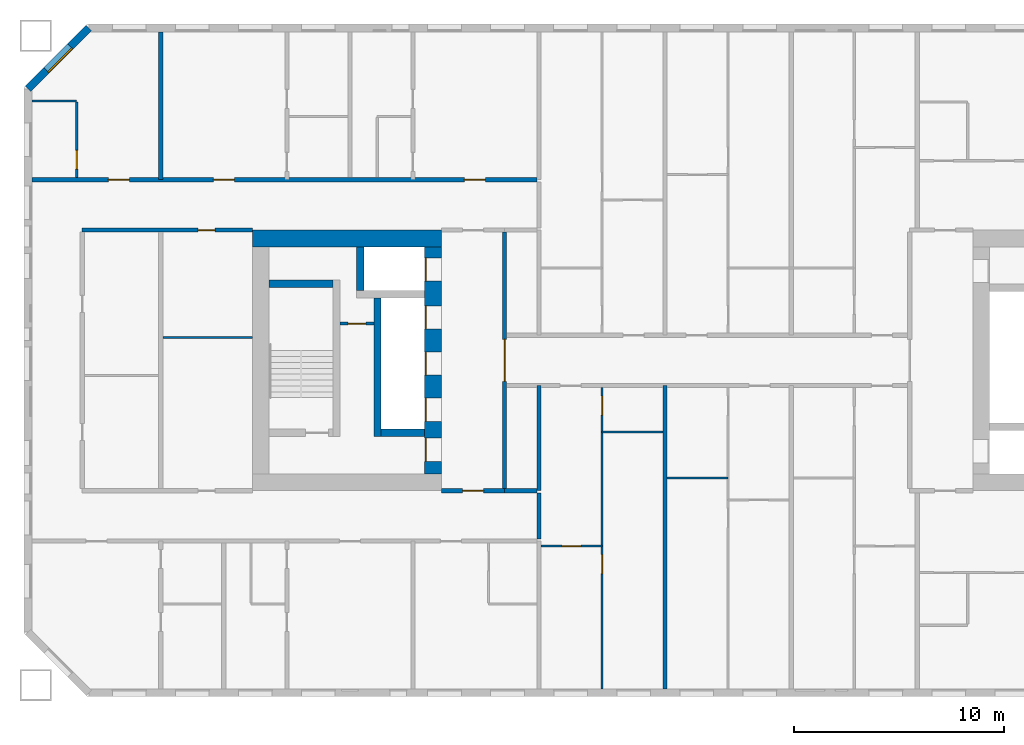
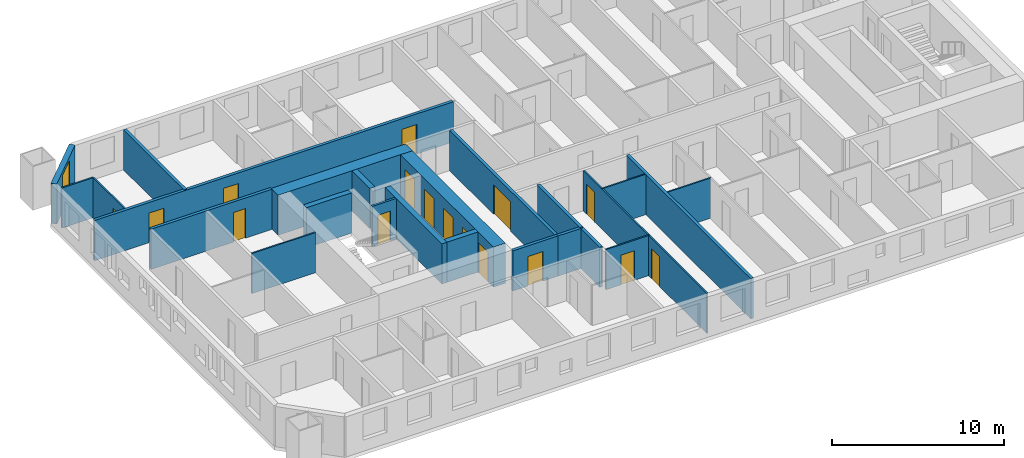
# One storey, part 4 of 17: 24 walls, 16 doors, 1 window, 17 openings.
"""IFC4 building model written with IfcOpenShell, lengths in metres."""

from ifc_helpers import new_model, si_unit, direction, frame, frame_2d, origin, place, context, subcontext, project, spatial, rectangle, extrude, material, layer, layer_set, type_object, element, fill, save


model = new_model("IFC4")

# Units and contexts
model_context = context("Model", 3, precision=1e-05, world=origin(), true_north=direction((0.0, 1.0)))
body_context = subcontext(model_context, "Body", "Model", "MODEL_VIEW")
ifc_project = project(units=[si_unit("LENGTHUNIT", "METRE"), si_unit("AREAUNIT", "SQUARE_METRE"), si_unit("VOLUMEUNIT", "CUBIC_METRE"), si_unit("PLANEANGLEUNIT", "RADIAN"), si_unit("MASSUNIT", "GRAM", prefix="KILO")], contexts=[model_context])

# Site, building, storey
site_placement = place(None, origin())
site = spatial("IfcSite", under=ifc_project, at=site_placement, CompositionType="ELEMENT")
building_placement = place(site_placement, origin())
building = spatial("IfcBuilding", under=site, at=building_placement, Name="Tuart Gate Housing", CompositionType="ELEMENT")
storey_placement = place(building_placement, frame((0.0, 0.0, 53.60009765625)))
storey = spatial("IfcBuildingStorey", under=building, at=storey_placement, Name="L14", CompositionType="ELEMENT", Elevation=53.60009765625)

# Wall, opening, window
ifc_material_1 = material(Name="Brick", Category="masonry")
ifc_layer_1 = layer(ifc_material_1, 0.360107421875)
ifc_layer_set_1 = layer_set([ifc_layer_1], Name="Brick pier and spandrel wall 360")
wall_type_1 = type_object("IfcWallType", Name="Brick pier and spandrel wall 360", PredefinedType="STANDARD", material=ifc_layer_set_1)
wall_1_placement = place(storey_placement, frame((24.57470703125, 85.820068359375, 0.0), z_axis=(0.0, 0.0, 1.0), x_axis=(-0.707106781187, -0.707106781187, 0.0)))
wall_1 = element("IfcWall", 1, at=wall_1_placement, inside=storey, type_object=wall_type_1, Name="External wall A-NW L14", PredefinedType="STANDARD", context=body_context, shape_type="SweptSolid", body=[
    extrude(rectangle(XDim=4.09375, YDim=0.360107421875, at=frame_2d((2.046875, 0.0))), origin(), (0.0, 0.0, 1.0), 2.849853515625),
])
opening_1_placement = place(wall_1_placement, frame((1.2470703125, 0.0, 0.800048828125)))
opening_1 = element("IfcOpeningElement", 2, at=opening_1_placement, cuts=wall_1, Name="Opening W1", PredefinedType="OPENING", context=body_context, shape_type="SweptSolid", body=[
    extrude(rectangle(XDim=1.60009765625, YDim=1.800048828125, at=frame_2d((0.800048828125, 0.89990234375))), frame((0.0, 0.18994140625, 0.0), z_axis=(0.0, -1.0, 0.0), x_axis=(1.0, 0.0, 0.0)), (0.0, 0.0, 1.0), 0.380126953125),
])
ifc_material_2 = material(Name="Aluminium frame with clear glass", Category="aluminium")
window_type = type_object("IfcWindowType", Name="Punched window 1600 x 1800", PartitioningType="SINGLE_PANEL", PredefinedType="WINDOW", material=ifc_material_2)
window_placement = place(opening_1_placement, origin())
window = element("IfcWindow", 3, at=window_placement, inside=storey, type_object=window_type, Name="Window W1", OverallHeight=1.800048828125, OverallWidth=1.60009765625, PartitioningType="SINGLE_PANEL", PredefinedType="WINDOW", context=body_context, shape_type="SweptSolid", body=[
    extrude(rectangle(XDim=1.60009765625, YDim=1.800048828125, at=frame_2d((0.800048828125, 0.89990234375))), frame((0.0, 0.150146484375, 0.0), z_axis=(0.0, -1.0, 0.0), x_axis=(1.0, 0.0, 0.0)), (0.0, 0.0, 1.0), 0.06005859375),
])
fill(opening_1, window)

# Wall, opening, door
ifc_material_3 = material(Name="Plasterboard partition")
ifc_layer_2 = layer(ifc_material_3, 0.14990234375)
ifc_layer_set_2 = layer_set([ifc_layer_2], Name="Core partition 150")
wall_type_2 = type_object("IfcWallType", Name="Core partition 150", PredefinedType="PARTITIONING", material=ifc_layer_set_2)
wall_2_placement = place(storey_placement, frame((38.135009765625, 71.75, 0.0), z_axis=(0.0, 0.0, 1.0), x_axis=(-1.0, 0.0, 0.0)))
wall_2 = element("IfcWall", 4, at=wall_2_placement, inside=storey, type_object=wall_type_2, Name="Core partition AK.3", PredefinedType="PARTITIONING", context=body_context, shape_type="SweptSolid", body=[
    extrude(rectangle(XDim=1.60009765625, YDim=0.14990234375, at=frame_2d((0.800048828125, 0.0))), origin(), (0.0, 0.0, 1.0), 2.849853515625),
])
opening_2_placement = place(wall_2_placement, frame((0.375, 0.0, 0.0)))
opening_2 = element("IfcOpeningElement", 5, at=opening_2_placement, cuts=wall_2, Name="Opening D738", PredefinedType="OPENING", context=body_context, shape_type="SweptSolid", body=[
    extrude(rectangle(XDim=0.85009765625, YDim=2.10009765625, at=frame_2d((0.425048828125, 1.050048828125))), frame((0.0, 0.0849609375, 0.0), z_axis=(0.0, -1.0, 0.0), x_axis=(1.0, 0.0, 0.0)), (0.0, 0.0, 1.0), 0.169921875),
])
ifc_material_4 = material(Name="Steel fire door", Category="steel")
door_type_1 = type_object("IfcDoorType", Name="Riser door 850 x 2100 RH", OperationType="SINGLE_SWING_RIGHT", PredefinedType="DOOR", material=ifc_material_4)
door_1_placement = place(opening_2_placement, frame((0.85009765625, 0.0, 0.0), z_axis=(0.0, 0.0, 1.0), x_axis=(-1.0, 0.0, 0.0)))
door_1 = element("IfcDoor", 6, at=door_1_placement, inside=storey, type_object=door_type_1, Name="Service room door AK.E1", OperationType="SINGLE_SWING_RIGHT", OverallHeight=2.10009765625, OverallWidth=0.85009765625, PredefinedType="DOOR", context=body_context, shape_type="SweptSolid", body=[
    extrude(rectangle(XDim=0.85009765625, YDim=2.10009765625, at=frame_2d((0.425048828125, 1.050048828125))), frame((0.0, 0.025146484375, 0.0), z_axis=(0.0, -1.0, 0.0), x_axis=(1.0, 0.0, 0.0)), (0.0, 0.0, 1.0), 0.050048828125),
])
fill(opening_2, door_1)

# Walls
ifc_material_5 = material(Name="Concrete C60", Category="concrete")
ifc_layer_3 = layer(ifc_material_5, 0.35009765625)
ifc_layer_set_3 = layer_set([ifc_layer_3], Name="Core wall 350 C60")
wall_type_3 = type_object("IfcWallType", Name="Core wall 350 C60", PredefinedType="SHEAR", material=ifc_layer_set_3)
wall_3_placement = place(storey_placement, frame((36.18505859375, 73.64990234375, 0.0), z_axis=(0.0, 0.0, 1.0), x_axis=(-1.0, 0.0, 0.0)))
element("IfcWall", 7, at=wall_3_placement, inside=storey, type_object=wall_type_3, Name="Core wall AK.1", PredefinedType="SHEAR", context=body_context, shape_type="SweptSolid", body=[
    extrude(rectangle(XDim=3.025146484375, YDim=0.35009765625, at=frame_2d((1.5126953125, 0.0))), origin(), (0.0, 0.0, 1.0), 2.849853515625),
])
wall_4_placement = place(storey_placement, frame((40.56005859375, 66.550048828125, 0.0), z_axis=(0.0, 0.0, 1.0), x_axis=(-1.0, 0.0, 0.0)))
element("IfcWall", 8, at=wall_4_placement, inside=storey, type_object=wall_type_3, Name="Core wall AK.4", PredefinedType="SHEAR", context=body_context, shape_type="SweptSolid", body=[
    extrude(rectangle(XDim=2.074951171875, YDim=0.35009765625, at=frame_2d((1.03759765625, 0.0))), origin(), (0.0, 0.0, 1.0), 2.849853515625),
])
wall_5_placement = place(storey_placement, frame((38.31005859375, 72.97509765625, 0.0), z_axis=(0.0, 0.0, 1.0), x_axis=(0.0, -1.0, 0.0)))
element("IfcWall", 9, at=wall_5_placement, inside=storey, type_object=wall_type_3, Name="Core wall AK.6", PredefinedType="SHEAR", context=body_context, shape_type="SweptSolid", body=[
    extrude(rectangle(XDim=6.60009765625, YDim=0.35009765625, at=frame_2d((3.300048828125, 0.0))), origin(), (0.0, 0.0, 1.0), 2.849853515625),
])
wall_6_placement = place(storey_placement, frame((37.489990234375, 75.39990234375, 0.0), z_axis=(0.0, 0.0, 1.0), x_axis=(0.0, -1.0, 0.0)))
element("IfcWall", 10, at=wall_6_placement, inside=storey, type_object=wall_type_3, Name="Core wall AK.7", PredefinedType="SHEAR", context=body_context, shape_type="SweptSolid", body=[
    extrude(rectangle(XDim=2.074951171875, YDim=0.35009765625, at=frame_2d((1.03759765625, 0.0))), origin(), (0.0, 0.0, 1.0), 2.849853515625),
])

# Wall, openings, doors
ifc_material_6 = material(Name="Concrete C60", Category="concrete")
ifc_layer_4 = layer(ifc_material_6, 0.800048828125)
ifc_layer_set_4 = layer_set([ifc_layer_4], Name="Core wall 800 C60")
wall_type_4 = type_object("IfcWallType", Name="Core wall 800 C60", PredefinedType="SHEAR", material=ifc_layer_set_4)
wall_7_placement = place(storey_placement, frame((40.9599609375, 75.39990234375, 0.0), z_axis=(0.0, 0.0, 1.0), x_axis=(0.0, -1.0, 0.0)))
wall_7 = element("IfcWall", 11, at=wall_7_placement, inside=storey, type_object=wall_type_4, Name="Core wall AK front", PredefinedType="SHEAR", context=body_context, shape_type="SweptSolid", body=[
    extrude(rectangle(XDim=10.7998046875, YDim=0.800048828125, at=frame_2d((5.39990234375, 0.0))), origin(), (0.0, 0.0, 1.0), 2.849853515625),
])
opening_3_placement = place(wall_7_placement, frame((0.52490234375, 0.0, 0.0)))
opening_3 = element("IfcOpeningElement", 12, at=opening_3_placement, cuts=wall_7, Name="Opening LD-FA2", PredefinedType="OPENING", context=body_context, shape_type="SweptSolid", body=[
    extrude(rectangle(XDim=1.10009765625, YDim=2.10009765625, at=frame_2d((0.550048828125, 1.050048828125))), frame((0.0, 0.409912109375, 0.0), z_axis=(0.0, -1.0, 0.0), x_axis=(1.0, 0.0, 0.0)), (0.0, 0.0, 1.0), 0.820068359375),
])
opening_4_placement = place(wall_7_placement, frame((2.800048828125, 0.0, 0.0)))
opening_4 = element("IfcOpeningElement", 13, at=opening_4_placement, cuts=wall_7, Name="Opening LD-LA4", PredefinedType="OPENING", context=body_context, shape_type="SweptSolid", body=[
    extrude(rectangle(XDim=1.10009765625, YDim=2.10009765625, at=frame_2d((0.550048828125, 1.050048828125))), frame((0.0, 0.409912109375, 0.0), z_axis=(0.0, -1.0, 0.0), x_axis=(1.0, 0.0, 0.0)), (0.0, 0.0, 1.0), 0.820068359375),
])
opening_5_placement = place(wall_7_placement, frame((5.0, 0.0, 0.0)))
opening_5 = element("IfcOpeningElement", 14, at=opening_5_placement, cuts=wall_7, Name="Opening LD-LA5", PredefinedType="OPENING", context=body_context, shape_type="SweptSolid", body=[
    extrude(rectangle(XDim=1.10009765625, YDim=2.10009765625, at=frame_2d((0.550048828125, 1.050048828125))), frame((0.0, 0.409912109375, 0.0), z_axis=(0.0, -1.0, 0.0), x_axis=(1.0, 0.0, 0.0)), (0.0, 0.0, 1.0), 0.820068359375),
])
opening_6_placement = place(wall_7_placement, frame((7.199951171875, 0.0, 0.0)))
opening_6 = element("IfcOpeningElement", 15, at=opening_6_placement, cuts=wall_7, Name="Opening LD-LA6", PredefinedType="OPENING", context=body_context, shape_type="SweptSolid", body=[
    extrude(rectangle(XDim=1.10009765625, YDim=2.10009765625, at=frame_2d((0.550048828125, 1.050048828125))), frame((0.0, 0.409912109375, 0.0), z_axis=(0.0, -1.0, 0.0), x_axis=(1.0, 0.0, 0.0)), (0.0, 0.0, 1.0), 0.820068359375),
])
opening_7_placement = place(wall_7_placement, frame((9.10009765625, 0.0, 0.0)))
opening_7 = element("IfcOpeningElement", 16, at=opening_7_placement, cuts=wall_7, Name="Opening D744", PredefinedType="OPENING", context=body_context, shape_type="SweptSolid", body=[
    extrude(rectangle(XDim=1.10009765625, YDim=2.10009765625, at=frame_2d((0.550048828125, 1.050048828125))), frame((0.0, 0.409912109375, 0.0), z_axis=(0.0, -1.0, 0.0), x_axis=(1.0, 0.0, 0.0)), (0.0, 0.0, 1.0), 0.820068359375),
])
ifc_material_7 = material(Name="Stainless steel", Category="steel")
door_type_2 = type_object("IfcDoorType", Name="Landing door 1100 x 2100", OperationType="DOUBLE_DOOR_SLIDING", PredefinedType="DOOR", material=ifc_material_7)
door_2_placement = place(opening_3_placement, origin())
door_2 = element("IfcDoor", 17, at=door_2_placement, inside=storey, type_object=door_type_2, Name="Lift landing door FA2", OperationType="DOUBLE_DOOR_SLIDING", OverallHeight=2.10009765625, OverallWidth=1.10009765625, PredefinedType="DOOR", context=body_context, shape_type="SweptSolid", body=[
    extrude(rectangle(XDim=1.10009765625, YDim=2.10009765625, at=frame_2d((0.550048828125, 1.050048828125))), frame((0.0, -0.3349609375, 0.0), z_axis=(0.0, -1.0, 0.0), x_axis=(1.0, 0.0, 0.0)), (0.0, 0.0, 1.0), 0.050048828125),
])
fill(opening_3, door_2)
door_3_placement = place(opening_4_placement, origin())
door_3 = element("IfcDoor", 18, at=door_3_placement, inside=storey, type_object=door_type_2, Name="Lift landing door LA4", OperationType="DOUBLE_DOOR_SLIDING", OverallHeight=2.10009765625, OverallWidth=1.10009765625, PredefinedType="DOOR", context=body_context, shape_type="SweptSolid", body=[
    extrude(rectangle(XDim=1.10009765625, YDim=2.10009765625, at=frame_2d((0.550048828125, 1.050048828125))), frame((0.0, -0.3349609375, 0.0), z_axis=(0.0, -1.0, 0.0), x_axis=(1.0, 0.0, 0.0)), (0.0, 0.0, 1.0), 0.050048828125),
])
fill(opening_4, door_3)
door_4_placement = place(opening_5_placement, origin())
door_4 = element("IfcDoor", 19, at=door_4_placement, inside=storey, type_object=door_type_2, Name="Lift landing door LA5", OperationType="DOUBLE_DOOR_SLIDING", OverallHeight=2.10009765625, OverallWidth=1.10009765625, PredefinedType="DOOR", context=body_context, shape_type="SweptSolid", body=[
    extrude(rectangle(XDim=1.10009765625, YDim=2.10009765625, at=frame_2d((0.550048828125, 1.050048828125))), frame((0.0, -0.3349609375, 0.0), z_axis=(0.0, -1.0, 0.0), x_axis=(1.0, 0.0, 0.0)), (0.0, 0.0, 1.0), 0.050048828125),
])
fill(opening_5, door_4)
door_5_placement = place(opening_6_placement, origin())
door_5 = element("IfcDoor", 20, at=door_5_placement, inside=storey, type_object=door_type_2, Name="Lift landing door LA6", OperationType="DOUBLE_DOOR_SLIDING", OverallHeight=2.10009765625, OverallWidth=1.10009765625, PredefinedType="DOOR", context=body_context, shape_type="SweptSolid", body=[
    extrude(rectangle(XDim=1.10009765625, YDim=2.10009765625, at=frame_2d((0.550048828125, 1.050048828125))), frame((0.0, -0.3349609375, 0.0), z_axis=(0.0, -1.0, 0.0), x_axis=(1.0, 0.0, 0.0)), (0.0, 0.0, 1.0), 0.050048828125),
])
fill(opening_6, door_5)
ifc_material_8 = material(Name="Steel fire door", Category="steel")
door_type_3 = type_object("IfcDoorType", Name="Lobby door 1100 x 2100 RH", OperationType="SINGLE_SWING_RIGHT", PredefinedType="DOOR", material=ifc_material_8)
door_6_placement = place(opening_7_placement, frame((1.10009765625, 0.0, 0.0), z_axis=(0.0, 0.0, 1.0), x_axis=(-1.0, 0.0, 0.0)))
door_6 = element("IfcDoor", 21, at=door_6_placement, inside=storey, type_object=door_type_3, Name="Lobby entry door AK.EN", OperationType="SINGLE_SWING_RIGHT", OverallHeight=2.10009765625, OverallWidth=1.10009765625, PredefinedType="DOOR", context=body_context, shape_type="SweptSolid", body=[
    extrude(rectangle(XDim=1.10009765625, YDim=2.10009765625, at=frame_2d((0.550048828125, 1.050048828125))), frame((0.0, 0.385009765625, 0.0), z_axis=(0.0, -1.0, 0.0), x_axis=(1.0, 0.0, 0.0)), (0.0, 0.0, 1.0), 0.050048828125),
])
fill(opening_7, door_6)

# Walls
wall_8_placement = place(storey_placement, frame((41.360107421875, 75.800048828125, 0.0), z_axis=(0.0, 0.0, 1.0), x_axis=(-1.0, 0.0, 0.0)))
element("IfcWall", 22, at=wall_8_placement, inside=storey, type_object=wall_type_4, Name="Core wall AK south", PredefinedType="SHEAR", context=body_context, shape_type="SweptSolid", body=[
    extrude(rectangle(XDim=9.0, YDim=0.800048828125, at=frame_2d((4.5, 0.0))), origin(), (0.0, 0.0, 1.0), 2.849853515625),
])
ifc_material_9 = material(Name="Concrete masonry 15 MPa", Category="masonry")
ifc_layer_5 = layer(ifc_material_9, 0.199951171875)
ifc_layer_set_5 = layer_set([ifc_layer_5], Name="Corridor wall masonry 200")
wall_type_5 = type_object("IfcWallType", Name="Corridor wall masonry 200", PredefinedType="PARTITIONING", material=ifc_layer_set_5)
wall_9_placement = place(storey_placement, frame((44.360107421875, 63.800048828125, 0.0), z_axis=(0.0, 0.0, 1.0), x_axis=(1.0, 0.0, 0.0)))
element("IfcWall", 23, at=wall_9_placement, inside=storey, type_object=wall_type_5, Name="Corridor wall masonry 200", PredefinedType="PARTITIONING", context=body_context, shape_type="SweptSolid", body=[
    extrude(rectangle(XDim=1.539794921875, YDim=0.199951171875, at=frame_2d((0.77001953125, 0.0))), origin(), (0.0, 0.0, 1.0), 2.849853515625),
])

# Wall, opening, door
wall_10_placement = place(storey_placement, frame((24.260009765625, 76.199951171875, 0.0), z_axis=(0.0, 0.0, 1.0), x_axis=(1.0, 0.0, 0.0)))
wall_10 = element("IfcWall", 24, at=wall_10_placement, inside=storey, type_object=wall_type_5, Name="Corridor wall masonry 200", PredefinedType="PARTITIONING", context=body_context, shape_type="SweptSolid", body=[
    extrude(rectangle(XDim=8.10009765625, YDim=0.199951171875, at=frame_2d((4.050048828125, 0.0))), origin(), (0.0, 0.0, 1.0), 2.849853515625),
])
opening_8_placement = place(wall_10_placement, frame((5.52001953125, 0.0, 0.0)))
opening_8 = element("IfcOpeningElement", 25, at=opening_8_placement, cuts=wall_10, Name="Opening D734", PredefinedType="OPENING", context=body_context, shape_type="SweptSolid", body=[
    extrude(rectangle(XDim=0.800048828125, YDim=2.10009765625, at=frame_2d((0.39990234375, 1.050048828125))), frame((0.0, 0.10986328125, 0.0), z_axis=(0.0, -1.0, 0.0), x_axis=(1.0, 0.0, 0.0)), (0.0, 0.0, 1.0), 0.219970703125),
])
ifc_material_10 = material(Name="Timber door leaf in steel frame", Category="steel")
door_type_4 = type_object("IfcDoorType", Name="Store door 800 RH", OperationType="SINGLE_SWING_RIGHT", PredefinedType="DOOR", material=ifc_material_10)
door_7_placement = place(opening_8_placement, frame((0.800048828125, 0.0, 0.0), z_axis=(0.0, 0.0, 1.0), x_axis=(-1.0, 0.0, 0.0)))
door_7 = element("IfcDoor", 26, at=door_7_placement, inside=storey, type_object=door_type_4, Name="Store door", OperationType="SINGLE_SWING_RIGHT", OverallHeight=2.10009765625, OverallWidth=0.800048828125, PredefinedType="DOOR", context=body_context, shape_type="SweptSolid", body=[
    extrude(rectangle(XDim=0.800048828125, YDim=2.10009765625, at=frame_2d((0.400146484375, 1.050048828125))), frame((0.0, 0.025146484375, 0.0), z_axis=(0.0, -1.0, 0.0), x_axis=(1.0, 0.0, 0.0)), (0.0, 0.0, 1.0), 0.050048828125),
])
fill(opening_8, door_7)

# Wall, openings, doors
wall_11_placement = place(storey_placement, frame((21.860107421875, 78.60009765625, 0.0), z_axis=(0.0, 0.0, 1.0), x_axis=(1.0, 0.0, 0.0)))
wall_11 = element("IfcWall", 27, at=wall_11_placement, inside=storey, type_object=wall_type_5, Name="Corridor wall masonry 200", PredefinedType="PARTITIONING", context=body_context, shape_type="SweptSolid", body=[
    extrude(rectangle(XDim=24.039794921875, YDim=0.199951171875, at=frame_2d((12.02001953125, 0.0))), origin(), (0.0, 0.0, 1.0), 2.849853515625),
])
opening_9_placement = place(wall_11_placement, frame((20.590087890625, 0.0, 0.0)))
opening_9 = element("IfcOpeningElement", 28, at=opening_9_placement, cuts=wall_11, Name="Opening D724", PredefinedType="OPENING", context=body_context, shape_type="SweptSolid", body=[
    extrude(rectangle(XDim=1.0, YDim=2.10009765625, at=frame_2d((0.5, 1.050048828125))), frame((0.0, 0.10986328125, 0.0), z_axis=(0.0, -1.0, 0.0), x_axis=(1.0, 0.0, 0.0)), (0.0, 0.0, 1.0), 0.219970703125),
])
opening_10_placement = place(wall_11_placement, frame((8.639892578125, 0.0, 0.0)))
opening_10 = element("IfcOpeningElement", 29, at=opening_10_placement, cuts=wall_11, Name="Opening D725", PredefinedType="OPENING", context=body_context, shape_type="SweptSolid", body=[
    extrude(rectangle(XDim=1.0, YDim=2.10009765625, at=frame_2d((0.5, 1.050048828125))), frame((0.0, 0.10986328125, 0.0), z_axis=(0.0, -1.0, 0.0), x_axis=(1.0, 0.0, 0.0)), (0.0, 0.0, 1.0), 0.219970703125),
])
opening_11_placement = place(wall_11_placement, frame((3.639892578125, 0.0, 0.0)))
opening_11 = element("IfcOpeningElement", 30, at=opening_11_placement, cuts=wall_11, Name="Opening D726", PredefinedType="OPENING", context=body_context, shape_type="SweptSolid", body=[
    extrude(rectangle(XDim=1.0, YDim=2.10009765625, at=frame_2d((0.5, 1.050048828125))), frame((0.0, 0.10986328125, 0.0), z_axis=(0.0, -1.0, 0.0), x_axis=(1.0, 0.0, 0.0)), (0.0, 0.0, 1.0), 0.219970703125),
])
ifc_material_11 = material(Name="Timber door leaf in steel frame", Category="steel")
door_type_5 = type_object("IfcDoorType", Name="Flat entrance door 1000", OperationType="SINGLE_SWING_LEFT", PredefinedType="DOOR", material=ifc_material_11)
door_8_placement = place(opening_9_placement, origin())
door_8 = element("IfcDoor", 31, at=door_8_placement, inside=storey, type_object=door_type_5, Name="Flat entrance door", OperationType="SINGLE_SWING_LEFT", OverallHeight=2.10009765625, OverallWidth=1.0, PredefinedType="DOOR", context=body_context, shape_type="SweptSolid", body=[
    extrude(rectangle(XDim=1.0, YDim=2.10009765625, at=frame_2d((0.5, 1.050048828125))), frame((0.0, 0.02490234375, 0.0), z_axis=(0.0, -1.0, 0.0), x_axis=(1.0, 0.0, 0.0)), (0.0, 0.0, 1.0), 0.050048828125),
])
fill(opening_9, door_8)
door_9_placement = place(opening_10_placement, origin())
door_9 = element("IfcDoor", 32, at=door_9_placement, inside=storey, type_object=door_type_5, Name="Flat entrance door", OperationType="SINGLE_SWING_LEFT", OverallHeight=2.10009765625, OverallWidth=1.0, PredefinedType="DOOR", context=body_context, shape_type="SweptSolid", body=[
    extrude(rectangle(XDim=1.0, YDim=2.10009765625, at=frame_2d((0.5, 1.050048828125))), frame((0.0, 0.02490234375, 0.0), z_axis=(0.0, -1.0, 0.0), x_axis=(1.0, 0.0, 0.0)), (0.0, 0.0, 1.0), 0.050048828125),
])
fill(opening_10, door_9)
door_10_placement = place(opening_11_placement, origin())
door_10 = element("IfcDoor", 33, at=door_10_placement, inside=storey, type_object=door_type_5, Name="Flat entrance door", OperationType="SINGLE_SWING_LEFT", OverallHeight=2.10009765625, OverallWidth=1.0, PredefinedType="DOOR", context=body_context, shape_type="SweptSolid", body=[
    extrude(rectangle(XDim=1.0, YDim=2.10009765625, at=frame_2d((0.5, 1.050048828125))), frame((0.0, 0.02490234375, 0.0), z_axis=(0.0, -1.0, 0.0), x_axis=(1.0, 0.0, 0.0)), (0.0, 0.0, 1.0), 0.050048828125),
])
fill(opening_11, door_10)

# Wall
wall_12_placement = place(storey_placement, frame((46.0, 61.5, 0.0), z_axis=(0.0, 0.0, 1.0), x_axis=(0.0, 1.0, 0.0)))
element("IfcWall", 34, at=wall_12_placement, inside=storey, type_object=wall_type_5, Name="Corridor wall masonry 200", PredefinedType="PARTITIONING", context=body_context, shape_type="SweptSolid", body=[
    extrude(rectangle(XDim=2.199951171875, YDim=0.199951171875, at=frame_2d((1.10009765625, 0.0))), origin(), (0.0, 0.0, 1.0), 2.849853515625),
])

# Wall, opening, door
ifc_material_12 = material(Name="Concrete masonry 15 MPa", Category="masonry")
ifc_layer_6 = layer(ifc_material_12, 0.199951171875)
ifc_layer_set_6 = layer_set([ifc_layer_6], Name="Enclosure wall masonry 200")
wall_type_6 = type_object("IfcWallType", Name="Enclosure wall masonry 200", PredefinedType="PARTITIONING", material=ifc_layer_set_6)
wall_13_placement = place(storey_placement, frame((41.360107421875, 63.800048828125, 0.0), z_axis=(0.0, 0.0, 1.0), x_axis=(1.0, 0.0, 0.0)))
wall_13 = element("IfcWall", 35, at=wall_13_placement, inside=storey, type_object=wall_type_6, Name="Enclosure wall masonry 200", PredefinedType="PARTITIONING", context=body_context, shape_type="SweptSolid", body=[
    extrude(rectangle(XDim=3.0, YDim=0.199951171875, at=frame_2d((1.5, 0.0))), origin(), (0.0, 0.0, 1.0), 2.849853515625),
])
opening_12_placement = place(wall_13_placement, frame((1.0, 0.0, 0.0)))
opening_12 = element("IfcOpeningElement", 36, at=opening_12_placement, cuts=wall_13, Name="Opening D755", PredefinedType="OPENING", context=body_context, shape_type="SweptSolid", body=[
    extrude(rectangle(XDim=1.0, YDim=2.10009765625, at=frame_2d((0.5, 1.050048828125))), frame((0.0, 0.10986328125, 0.0), z_axis=(0.0, -1.0, 0.0), x_axis=(1.0, 0.0, 0.0)), (0.0, 0.0, 1.0), 0.219970703125),
])
ifc_material_13 = material(Name="Timber door leaf in steel frame", Category="steel")
door_type_6 = type_object("IfcDoorType", Name="Fire door 1000", OperationType="SINGLE_SWING_LEFT", PredefinedType="DOOR", material=ifc_material_13)
door_11_placement = place(opening_12_placement, frame((1.0, 0.0, 0.0), z_axis=(0.0, 0.0, 1.0), x_axis=(-1.0, 0.0, 0.0)))
door_11 = element("IfcDoor", 37, at=door_11_placement, inside=storey, type_object=door_type_6, Name="Fire door", OperationType="SINGLE_SWING_LEFT", OverallHeight=2.10009765625, OverallWidth=1.0, PredefinedType="DOOR", context=body_context, shape_type="SweptSolid", body=[
    extrude(rectangle(XDim=1.0, YDim=2.10009765625, at=frame_2d((0.5, 1.050048828125))), frame((0.0, 0.025146484375, 0.0), z_axis=(0.0, -1.0, 0.0), x_axis=(1.0, 0.0, 0.0)), (0.0, 0.0, 1.0), 0.050048828125),
])
fill(opening_12, door_11)

ifc_material_14 = material(Name="Plasterboard partition")
ifc_layer_7 = layer(ifc_material_14, 0.199951171875)
ifc_layer_set_7 = layer_set([ifc_layer_7], Name="Lobby wall 200")
wall_type_7 = type_object("IfcWallType", Name="Lobby wall 200", PredefinedType="PARTITIONING", material=ifc_layer_set_7)
wall_14_placement = place(storey_placement, frame((44.360107421875, 63.89990234375, 0.0), z_axis=(0.0, 0.0, 1.0), x_axis=(0.0, 1.0, 0.0)))
wall_14 = element("IfcWall", 38, at=wall_14_placement, inside=storey, type_object=wall_type_7, Name="Lift lobby wall AK", PredefinedType="PARTITIONING", context=body_context, shape_type="SweptSolid", body=[
    extrude(rectangle(XDim=12.2001953125, YDim=0.199951171875, at=frame_2d((6.10009765625, 0.0))), origin(), (0.0, 0.0, 1.0), 2.849853515625),
])
opening_13_placement = place(wall_14_placement, frame((5.10009765625, 0.0, 0.0)))
opening_13 = element("IfcOpeningElement", 39, at=opening_13_placement, cuts=wall_14, Name="Opening D745", PredefinedType="OPENING", context=body_context, shape_type="SweptSolid", body=[
    extrude(rectangle(XDim=2.0, YDim=2.10009765625, at=frame_2d((1.0, 1.050048828125))), frame((0.0, 0.10986328125, 0.0), z_axis=(0.0, -1.0, 0.0), x_axis=(1.0, 0.0, 0.0)), (0.0, 0.0, 1.0), 0.219970703125),
])
ifc_material_15 = material(Name="Steel fire door", Category="steel")
door_type_7 = type_object("IfcDoorType", Name="Smoke door 2000 x 2100", OperationType="DOUBLE_DOOR_SINGLE_SWING", PredefinedType="DOOR", material=ifc_material_15)
door_12_placement = place(opening_13_placement, origin())
door_12 = element("IfcDoor", 40, at=door_12_placement, inside=storey, type_object=door_type_7, Name="Lift lobby smoke door AK", OperationType="DOUBLE_DOOR_SINGLE_SWING", OverallHeight=2.10009765625, OverallWidth=2.0, PredefinedType="DOOR", context=body_context, shape_type="SweptSolid", body=[
    extrude(rectangle(XDim=2.0, YDim=2.10009765625, at=frame_2d((1.0, 1.050048828125))), frame((0.0, 0.02490234375, 0.0), z_axis=(0.0, -1.0, 0.0), x_axis=(1.0, 0.0, 0.0)), (0.0, 0.0, 1.0), 0.050048828125),
])
fill(opening_13, door_12)

ifc_material_16 = material(Name="Gypsum board on steel studs", Category="steel")
ifc_layer_8 = layer(ifc_material_16, 0.10009765625)
ifc_layer_set_8 = layer_set([ifc_layer_8], Name="Partition 100")
wall_type_8 = type_object("IfcWallType", Name="Partition 100", PredefinedType="PARTITIONING", material=ifc_layer_set_8)
wall_15_placement = place(storey_placement, frame((46.10009765625, 61.159912109375, 0.0), z_axis=(0.0, 0.0, 1.0), x_axis=(1.0, 0.0, 0.0)))
wall_15 = element("IfcWall", 41, at=wall_15_placement, inside=storey, type_object=wall_type_8, Name="Partition 100", PredefinedType="PARTITIONING", context=body_context, shape_type="SweptSolid", body=[
    extrude(rectangle(XDim=2.89990234375, YDim=0.10009765625, at=frame_2d((1.449951171875, 0.0))), origin(), (0.0, 0.0, 1.0), 2.849853515625),
])
opening_14_placement = place(wall_15_placement, frame((1.0, 0.0, 0.0)))
opening_14 = element("IfcOpeningElement", 42, at=opening_14_placement, cuts=wall_15, Name="Opening D767", PredefinedType="OPENING", context=body_context, shape_type="SweptSolid", body=[
    extrude(rectangle(XDim=0.89990234375, YDim=2.10009765625, at=frame_2d((0.449951171875, 1.050048828125))), frame((0.0, 0.06005859375, 0.0), z_axis=(0.0, -1.0, 0.0), x_axis=(1.0, 0.0, 0.0)), (0.0, 0.0, 1.0), 0.1201171875),
])
ifc_material_17 = material(Name="Timber door leaf in steel frame", Category="steel")
door_type_8 = type_object("IfcDoorType", Name="Internal door 900 RH", OperationType="SINGLE_SWING_RIGHT", PredefinedType="DOOR", material=ifc_material_17)
door_13_placement = place(opening_14_placement, origin())
door_13 = element("IfcDoor", 43, at=door_13_placement, inside=storey, type_object=door_type_8, Name="Internal door", OperationType="SINGLE_SWING_RIGHT", OverallHeight=2.10009765625, OverallWidth=0.89990234375, PredefinedType="DOOR", context=body_context, shape_type="SweptSolid", body=[
    extrude(rectangle(XDim=0.89990234375, YDim=2.10009765625, at=frame_2d((0.449951171875, 1.050048828125))), frame((0.0, 0.02490234375, 0.0), z_axis=(0.0, -1.0, 0.0), x_axis=(1.0, 0.0, 0.0)), (0.0, 0.0, 1.0), 0.050048828125),
])
fill(opening_14, door_13)

# Walls
for number, where, z_axis, x_axis, name in (
    (44, (52.10009765625, 64.39990234375, 0.0), (0.0, 0.0, 1.0), (1.0, 0.0, 0.0), "Partition 100"),
    (45, (49.0, 66.60009765625, 0.0), (0.0, 0.0, 1.0), (1.0, 0.0, 0.0), "Partition 100"),
):
    element("IfcWall", number, at=place(storey_placement, frame(where, z_axis=z_axis, x_axis=x_axis)), inside=storey, type_object=wall_type_8, Name=name, PredefinedType="PARTITIONING", context=body_context, shape_type="SweptSolid", body=[
        extrude(rectangle(XDim=2.89990234375, YDim=0.10009765625, at=frame_2d((1.449951171875, 0.0))), origin(), (0.0, 0.0, 1.0), 2.849853515625),
    ])
wall_16_placement = place(storey_placement, frame((28.10009765625, 71.090087890625, 0.0), z_axis=(0.0, 0.0, 1.0), x_axis=(1.0, 0.0, 0.0)))
element("IfcWall", 46, at=wall_16_placement, inside=storey, type_object=wall_type_8, Name="Partition 100", PredefinedType="PARTITIONING", context=body_context, shape_type="SweptSolid", body=[
    extrude(rectangle(XDim=4.260009765625, YDim=0.10009765625, at=frame_2d((2.1298828125, 0.0))), origin(), (0.0, 0.0, 1.0), 2.849853515625),
])
wall_17_placement = place(storey_placement, frame((21.860107421875, 82.35009765625, 0.0), z_axis=(0.0, 0.0, 1.0), x_axis=(1.0, 0.0, 0.0)))
element("IfcWall", 47, at=wall_17_placement, inside=storey, type_object=wall_type_8, Name="Partition 100", PredefinedType="PARTITIONING", context=body_context, shape_type="SweptSolid", body=[
    extrude(rectangle(XDim=2.139892578125, YDim=0.10009765625, at=frame_2d((1.06982421875, 0.0))), origin(), (0.0, 0.0, 1.0), 2.849853515625),
])

# Wall, opening, door
wall_18_placement = place(storey_placement, frame((24.0, 78.699951171875, 0.0), z_axis=(0.0, 0.0, 1.0), x_axis=(0.0, 1.0, 0.0)))
wall_18 = element("IfcWall", 48, at=wall_18_placement, inside=storey, type_object=wall_type_8, Name="Partition 100", PredefinedType="PARTITIONING", context=body_context, shape_type="SweptSolid", body=[
    extrude(rectangle(XDim=3.60009765625, YDim=0.10009765625, at=frame_2d((1.800048828125, 0.0))), origin(), (0.0, 0.0, 1.0), 2.849853515625),
])
opening_15_placement = place(wall_18_placement, frame((0.39990234375, 0.0, 0.0)))
opening_15 = element("IfcOpeningElement", 49, at=opening_15_placement, cuts=wall_18, Name="Opening D719", PredefinedType="OPENING", context=body_context, shape_type="SweptSolid", body=[
    extrude(rectangle(XDim=0.89990234375, YDim=2.10009765625, at=frame_2d((0.449951171875, 1.050048828125))), frame((0.0, 0.06005859375, 0.0), z_axis=(0.0, -1.0, 0.0), x_axis=(1.0, 0.0, 0.0)), (0.0, 0.0, 1.0), 0.1201171875),
])
ifc_material_18 = material(Name="Timber door leaf in steel frame", Category="steel")
door_type_9 = type_object("IfcDoorType", Name="Bathroom door 900", OperationType="SINGLE_SWING_LEFT", PredefinedType="DOOR", material=ifc_material_18)
door_14_placement = place(opening_15_placement, origin())
door_14 = element("IfcDoor", 50, at=door_14_placement, inside=storey, type_object=door_type_9, Name="Bathroom door", OperationType="SINGLE_SWING_LEFT", OverallHeight=2.10009765625, OverallWidth=0.89990234375, PredefinedType="DOOR", context=body_context, shape_type="SweptSolid", body=[
    extrude(rectangle(XDim=0.89990234375, YDim=2.10009765625, at=frame_2d((0.449951171875, 1.050048828125))), frame((0.0, 0.02490234375, 0.0), z_axis=(0.0, -1.0, 0.0), x_axis=(1.0, 0.0, 0.0)), (0.0, 0.0, 1.0), 0.050048828125),
])
fill(opening_15, door_14)

# Wall, openings, doors
wall_19_placement = place(storey_placement, frame((49.0, 54.360107421875, 0.0), z_axis=(0.0, 0.0, 1.0), x_axis=(0.0, 1.0, 0.0)))
wall_19 = element("IfcWall", 51, at=wall_19_placement, inside=storey, type_object=wall_type_8, Name="Partition 100", PredefinedType="PARTITIONING", context=body_context, shape_type="SweptSolid", body=[
    extrude(rectangle(XDim=14.33984375, YDim=0.10009765625, at=frame_2d((7.169921875, 0.0))), origin(), (0.0, 0.0, 1.0), 2.849853515625),
])
opening_16_placement = place(wall_19_placement, frame((5.5, 0.0, 0.0)))
opening_16 = element("IfcOpeningElement", 52, at=opening_16_placement, cuts=wall_19, Name="Opening D759", PredefinedType="OPENING", context=body_context, shape_type="SweptSolid", body=[
    extrude(rectangle(XDim=0.89990234375, YDim=2.10009765625, at=frame_2d((0.449951171875, 1.050048828125))), frame((0.0, 0.06005859375, 0.0), z_axis=(0.0, -1.0, 0.0), x_axis=(1.0, 0.0, 0.0)), (0.0, 0.0, 1.0), 0.1201171875),
])
opening_17_placement = place(wall_19_placement, frame((13.0400390625, 0.0, 0.0)))
opening_17 = element("IfcOpeningElement", 53, at=opening_17_placement, cuts=wall_19, Name="Opening D758", PredefinedType="OPENING", context=body_context, shape_type="SweptSolid", body=[
    extrude(rectangle(XDim=0.89990234375, YDim=2.10009765625, at=frame_2d((0.449951171875, 1.050048828125))), frame((0.0, 0.06005859375, 0.0), z_axis=(0.0, -1.0, 0.0), x_axis=(1.0, 0.0, 0.0)), (0.0, 0.0, 1.0), 0.1201171875),
])
door_15_placement = place(opening_17_placement, frame((0.89990234375, 0.0, 0.0), z_axis=(0.0, 0.0, 1.0), x_axis=(-1.0, 0.0, 0.0)))
door_15 = element("IfcDoor", 54, at=door_15_placement, inside=storey, type_object=door_type_9, Name="Bathroom door", OperationType="SINGLE_SWING_LEFT", OverallHeight=2.10009765625, OverallWidth=0.89990234375, PredefinedType="DOOR", context=body_context, shape_type="SweptSolid", body=[
    extrude(rectangle(XDim=0.89990234375, YDim=2.10009765625, at=frame_2d((0.449951171875, 1.050048828125))), frame((0.0, 0.025146484375, 0.0), z_axis=(0.0, -1.0, 0.0), x_axis=(1.0, 0.0, 0.0)), (0.0, 0.0, 1.0), 0.050048828125),
])
fill(opening_17, door_15)
door_16_placement = place(opening_16_placement, frame((0.89990234375, 0.0, 0.0), z_axis=(0.0, 0.0, 1.0), x_axis=(-1.0, 0.0, 0.0)))
door_16 = element("IfcDoor", 55, at=door_16_placement, inside=storey, type_object=door_type_8, Name="Internal door", OperationType="SINGLE_SWING_RIGHT", OverallHeight=2.10009765625, OverallWidth=0.89990234375, PredefinedType="DOOR", context=body_context, shape_type="SweptSolid", body=[
    extrude(rectangle(XDim=0.89990234375, YDim=2.10009765625, at=frame_2d((0.449951171875, 1.050048828125))), frame((0.0, 0.025146484375, 0.0), z_axis=(0.0, -1.0, 0.0), x_axis=(1.0, 0.0, 0.0)), (0.0, 0.0, 1.0), 0.050048828125),
])
fill(opening_16, door_16)

# Walls
ifc_material_19 = material(Name="Concrete C40", Category="concrete")
ifc_layer_9 = layer(ifc_material_19, 0.199951171875)
ifc_layer_set_9 = layer_set([ifc_layer_9], Name="Party wall concrete C40 200")
wall_type_9 = type_object("IfcWallType", Name="Party wall concrete C40 200", PredefinedType="SOLIDWALL", material=ifc_layer_set_9)
wall_20_placement = place(storey_placement, frame((28.0, 78.60009765625, 0.0), z_axis=(0.0, 0.0, 1.0), x_axis=(0.0, 1.0, 0.0)))
element("IfcWall", 56, at=wall_20_placement, inside=storey, type_object=wall_type_9, Name="Party wall concrete C40 200", PredefinedType="SOLIDWALL", context=body_context, shape_type="SweptSolid", body=[
    extrude(rectangle(XDim=7.039794921875, YDim=0.199951171875, at=frame_2d((3.52001953125, 0.0))), origin(), (0.0, 0.0, 1.0), 2.849853515625),
])
wall_21_placement = place(storey_placement, frame((46.0, 63.800048828125, 0.0), z_axis=(0.0, 0.0, 1.0), x_axis=(0.0, 1.0, 0.0)))
element("IfcWall", 57, at=wall_21_placement, inside=storey, type_object=wall_type_9, Name="Party wall concrete C40 200", PredefinedType="SOLIDWALL", context=body_context, shape_type="SweptSolid", body=[
    extrude(rectangle(XDim=5.0, YDim=0.199951171875, at=frame_2d((2.5, 0.0))), origin(), (0.0, 0.0, 1.0), 2.849853515625),
])
wall_22_placement = place(storey_placement, frame((52.0, 54.360107421875, 0.0), z_axis=(0.0, 0.0, 1.0), x_axis=(0.0, 1.0, 0.0)))
element("IfcWall", 58, at=wall_22_placement, inside=storey, type_object=wall_type_9, Name="Party wall concrete C40 200", PredefinedType="SOLIDWALL", context=body_context, shape_type="SweptSolid", body=[
    extrude(rectangle(XDim=14.43994140625, YDim=0.199951171875, at=frame_2d((7.219970703125, 0.0))), origin(), (0.0, 0.0, 1.0), 2.849853515625),
])

save(model, "model.ifc")
